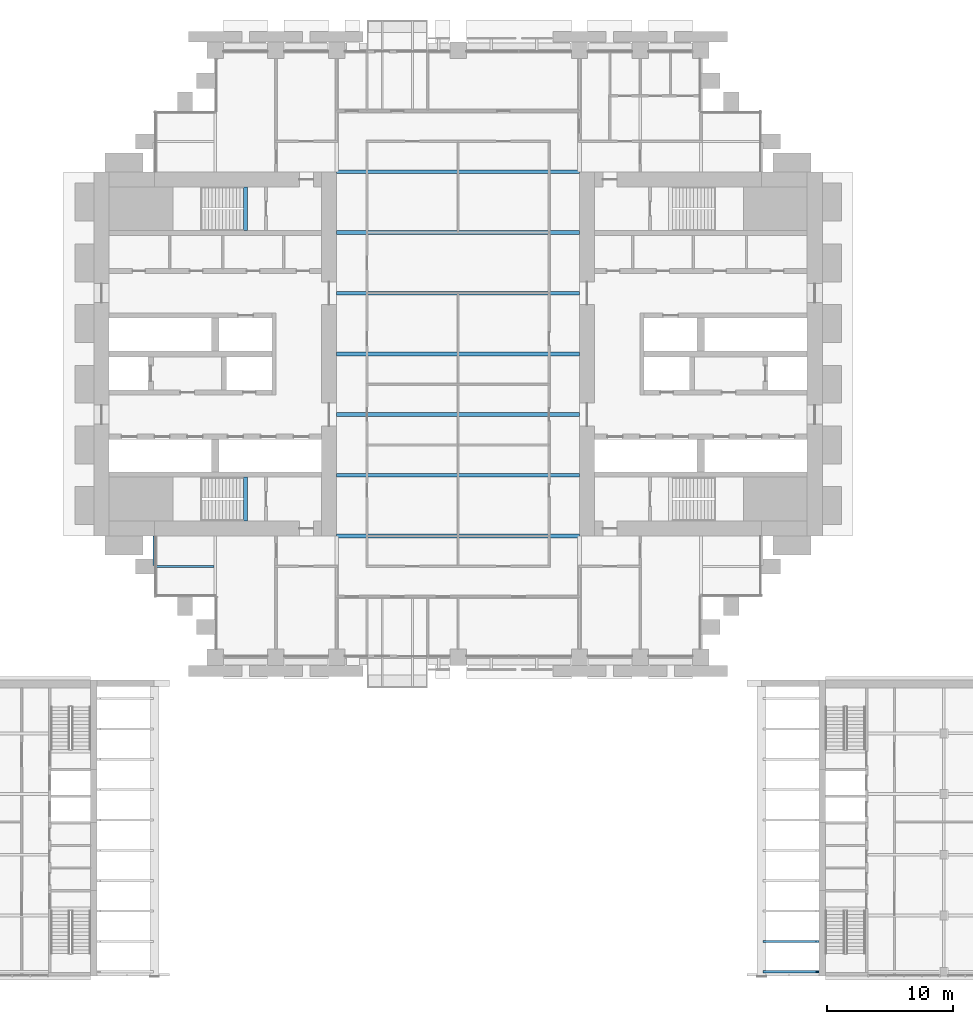
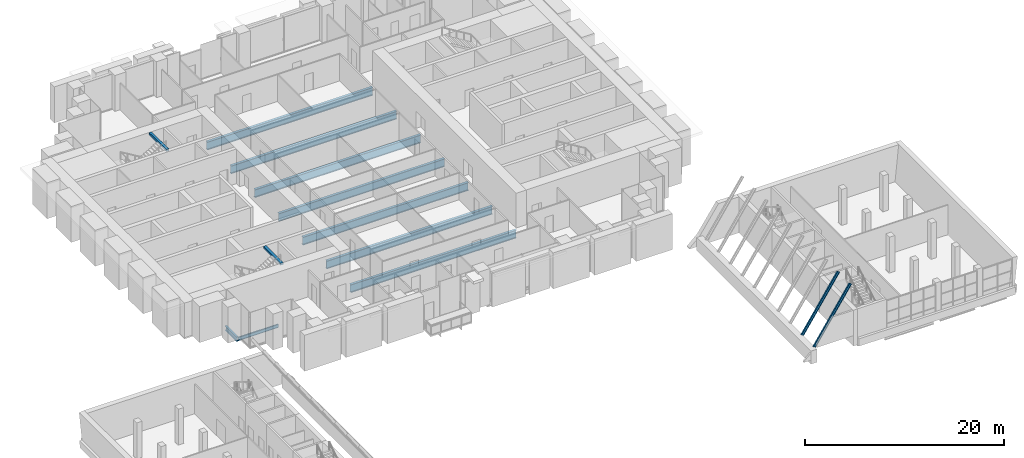
# One storey, part 7 of 32: 13 beams.
"""IFC4 building model written with IfcOpenShell, lengths in metres."""

from ifc_helpers import new_model, si_unit, direction, frame, origin, origin_2d, place, context, subcontext, project, spatial, rectangle, i_section, extrude, material, material_profile, profile_set, type_object, element, save


model = new_model("IFC4")

# Units and contexts
model_context = context("Model", 3, precision=1e-05, world=origin(), true_north=direction((0.0, 1.0)))
body_context = subcontext(model_context, "Body", "Model", "MODEL_VIEW")
ifc_project = project(units=[si_unit("LENGTHUNIT", "METRE"), si_unit("AREAUNIT", "SQUARE_METRE"), si_unit("VOLUMEUNIT", "CUBIC_METRE"), si_unit("PLANEANGLEUNIT", "RADIAN"), si_unit("MASSUNIT", "GRAM", prefix="KILO")], contexts=[model_context])

# Site, building, storey
site_placement = place(None, origin())
site = spatial("IfcSite", under=ifc_project, at=site_placement, CompositionType="ELEMENT")
building_placement = place(site_placement, origin())
building = spatial("IfcBuilding", under=site, at=building_placement, Name="Baori Bourse Tower", CompositionType="ELEMENT")
storey_placement = place(building_placement, frame((0.0, 0.0, 21.39990234375)))
storey = spatial("IfcBuildingStorey", under=building, at=storey_placement, Name="L03", CompositionType="ELEMENT", Elevation=21.39990234375)

# Beams
ifc_material_1 = material(Name="Steel A992 Gr 50", Category="steel")
ifc_material_profile_1 = material_profile(ifc_material_1, i_section(OverallWidth=0.21240234375, OverallDepth=0.54345703125, WebThickness=0.01318359375, FlangeThickness=0.021240234375, at=origin_2d()), Name="W21x83")
ifc_profile_set_1 = profile_set([ifc_material_profile_1], Name="Steel A992 Gr 50")
beam_type_1 = type_object("IfcBeamType", Name="Core bracket W21x83", PredefinedType="BEAM", material=ifc_profile_set_1)
beam_1_placement = place(storey_placement, frame((4.800048828125, 7.270263671875, -0.431640625), z_axis=(0.0, 1.0, 0.0), x_axis=(-1.0, 0.0, 0.0)))
element("IfcBeam", 1, at=beam_1_placement, inside=storey, type_object=beam_type_1, Name="Core bracket L03", PredefinedType="BEAM", context=body_context, shape_type="SweptSolid", body=[
    extrude(i_section(OverallWidth=0.21240234375, OverallDepth=0.54345703125, WebThickness=0.01318359375, FlangeThickness=0.021240234375, at=origin_2d()), origin(), (0.0, 0.0, 1.0), 2.329833984375),
])
ifc_material_2 = material(Name="Steel A992 Gr 50", Category="steel")
ifc_material_profile_2 = material_profile(ifc_material_2, i_section(OverallWidth=0.2998046875, OverallDepth=0.97021484375, WebThickness=0.01611328125, FlangeThickness=0.02099609375, at=origin_2d()), Name="W40x149")
ifc_profile_set_2 = profile_set([ifc_material_profile_2], Name="Steel A992 Gr 50")
beam_type_2 = type_object("IfcBeamType", Name="Floor beam W40x149", PredefinedType="BEAM", material=ifc_profile_set_2)
for number, where, z_axis, x_axis, name in (
    (2, (19.199951171875, 9.60009765625, -0.64501953125), (1.0, 0.0, 0.0), (0.0, 1.0, 0.0), "Floor beam L03"),
    (3, (19.199951171875, 14.39990234375, -0.64501953125), (1.0, 0.0, 0.0), (0.0, 1.0, 0.0), "Floor beam L03"),
    (4, (19.199951171875, 19.199951171875, -0.64501953125), (1.0, 0.0, 0.0), (0.0, 1.0, 0.0), "Floor beam L03"),
    (5, (19.199951171875, 24.0, -0.64501953125), (1.0, 0.0, 0.0), (0.0, 1.0, 0.0), "Floor beam L03"),
    (6, (19.199951171875, 28.800048828125, -0.64501953125), (1.0, 0.0, 0.0), (0.0, 1.0, 0.0), "Floor beam L03"),
    (7, (19.199951171875, 33.60009765625, -0.64501953125), (1.0, 0.0, 0.0), (0.0, 1.0, 0.0), "Floor beam L03"),
    (8, (19.199951171875, 38.39990234375, -0.64501953125), (1.0, 0.0, 0.0), (0.0, 1.0, 0.0), "Floor beam L03"),
):
    element("IfcBeam", number, at=place(storey_placement, frame(where, z_axis=z_axis, x_axis=x_axis)), inside=storey, type_object=beam_type_2, Name=name, PredefinedType="BEAM", context=body_context, shape_type="SweptSolid", body=[
        extrude(i_section(OverallWidth=0.2998046875, OverallDepth=0.97021484375, WebThickness=0.01611328125, FlangeThickness=0.02099609375, at=origin_2d()), origin(), (0.0, 0.0, 1.0), 19.199951171875),
    ])
ifc_material_3 = material(Name="Concrete f'c 50 MPa", Category="concrete")
ifc_material_profile_3 = material_profile(ifc_material_3, rectangle(XDim=0.300048828125, YDim=0.25, at=origin_2d()), Name="RC 300x250")
ifc_profile_set_3 = profile_set([ifc_material_profile_3], Name="Concrete f'c 50 MPa")
beam_type_3 = type_object("IfcBeamType", Name="Stair nib beam RC 300x250", PredefinedType="BEAM", material=ifc_profile_set_3)
for number, where, z_axis, x_axis, name in (
    (9, (12.0, 10.800048828125, 4.114990234375), (0.0, 1.0, 0.0), (-1.0, 0.0, 0.0), "Stair WA nib beam L04"),
    (10, (12.0, 33.75, 4.114990234375), (0.0, 1.0, 0.0), (-1.0, 0.0, 0.0), "Stair WB nib beam L04"),
):
    element("IfcBeam", number, at=place(storey_placement, frame(where, z_axis=z_axis, x_axis=x_axis)), inside=storey, type_object=beam_type_3, Name=name, PredefinedType="BEAM", context=body_context, shape_type="SweptSolid", body=[
        extrude(rectangle(XDim=0.300048828125, YDim=0.25, at=origin_2d()), origin(), (0.0, 0.0, 1.0), 3.449951171875),
    ])
ifc_material_4 = material(Name="Steel A992 Gr 50", Category="steel")
ifc_material_profile_4 = material_profile(ifc_material_4, i_section(OverallWidth=0.140380859375, OverallDepth=0.40380859375, WebThickness=0.007080078125, FlangeThickness=0.01123046875, at=origin_2d()), Name="W16x31")
ifc_profile_set_4 = profile_set([ifc_material_profile_4], Name="Steel A992 Gr 50")
beam_type_4 = type_object("IfcBeamType", Name="Trimmer beam W16x31", PredefinedType="BEAM", material=ifc_profile_set_4)
beam_2_placement = place(storey_placement, frame((4.800048828125, 7.199951171875, -0.36181640625), z_axis=(1.0, 0.0, 0.0), x_axis=(0.0, 1.0, 0.0)))
element("IfcBeam", 11, at=beam_2_placement, inside=storey, type_object=beam_type_4, Name="Trimmer beam L03", PredefinedType="BEAM", context=body_context, shape_type="SweptSolid", body=[
    extrude(i_section(OverallWidth=0.140380859375, OverallDepth=0.40380859375, WebThickness=0.007080078125, FlangeThickness=0.01123046875, at=origin_2d()), origin(), (0.0, 0.0, 1.0), 4.68603515625),
])
ifc_material_5 = material(Name="Steel A992 Gr 50", Category="steel")
ifc_material_profile_5 = material_profile(ifc_material_5, i_section(OverallWidth=0.164794921875, OverallDepth=0.309814453125, WebThickness=0.005859375, FlangeThickness=0.009765625, at=origin_2d()), Name="W12x26")
ifc_profile_set_5 = profile_set([ifc_material_profile_5], Name="Steel A992 Gr 50")
beam_type_5 = type_object("IfcBeamType", Name="Wing beam W12x26", PredefinedType="BEAM", material=ifc_profile_set_5)
for number, where, z_axis, x_axis, name in (
    (12, (53.02099609375, -24.85009765625, 1.212646484375), (0.553370739952, 0.0, 0.832935065995), (0.0, 1.0, 0.0), "wing/L03/purlin/011"),
    (13, (53.02099609375, -22.449951171875, 1.212646484375), (0.553370739952, 0.0, 0.832935065995), (0.0, 1.0, 0.0), "wing/L03/purlin/012"),
):
    element("IfcBeam", number, at=place(storey_placement, frame(where, z_axis=z_axis, x_axis=x_axis)), inside=storey, type_object=beam_type_5, Name=name, PredefinedType="BEAM", context=body_context, shape_type="SweptSolid", body=[
        extrude(i_section(OverallWidth=0.164794921875, OverallDepth=0.309814453125, WebThickness=0.005859375, FlangeThickness=0.009765625, at=origin_2d()), origin(), (0.0, 0.0, 1.0), 7.58984375),
    ])

save(model, "model.ifc")
